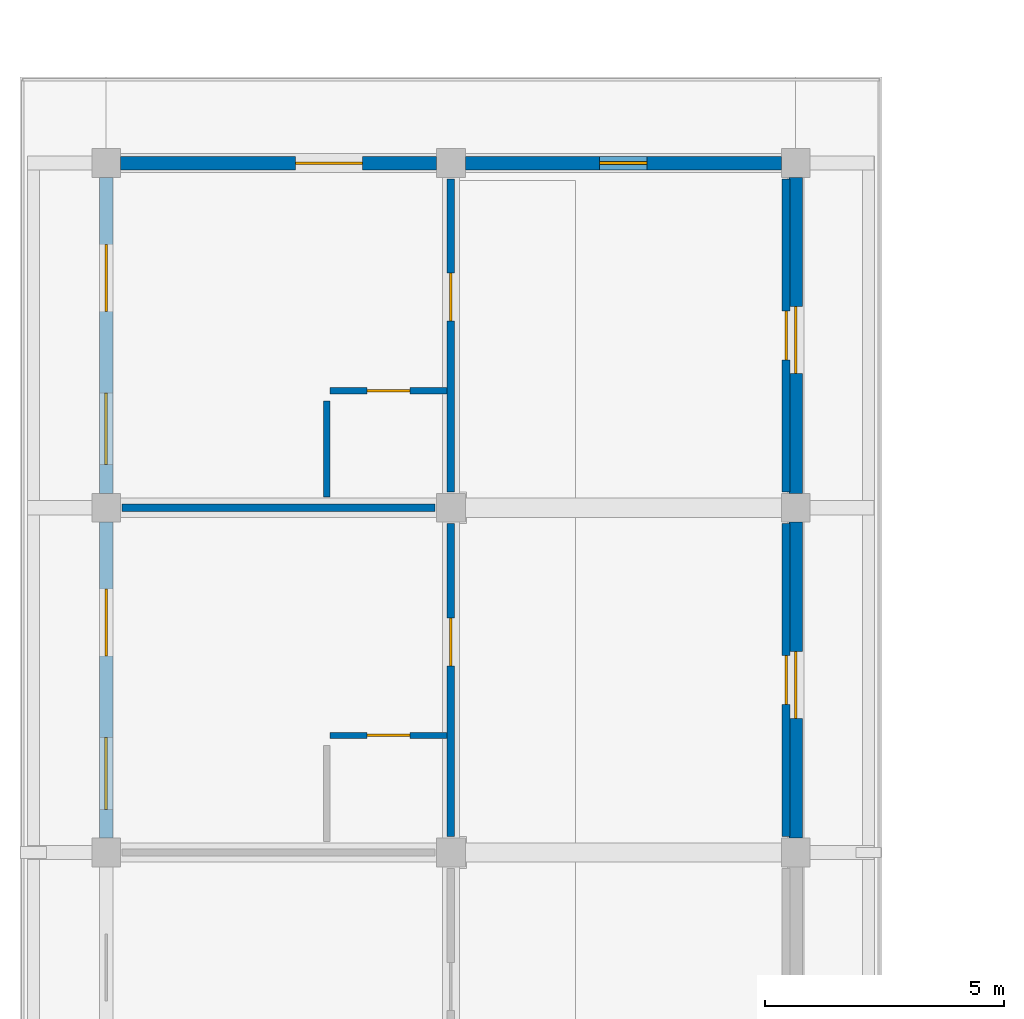
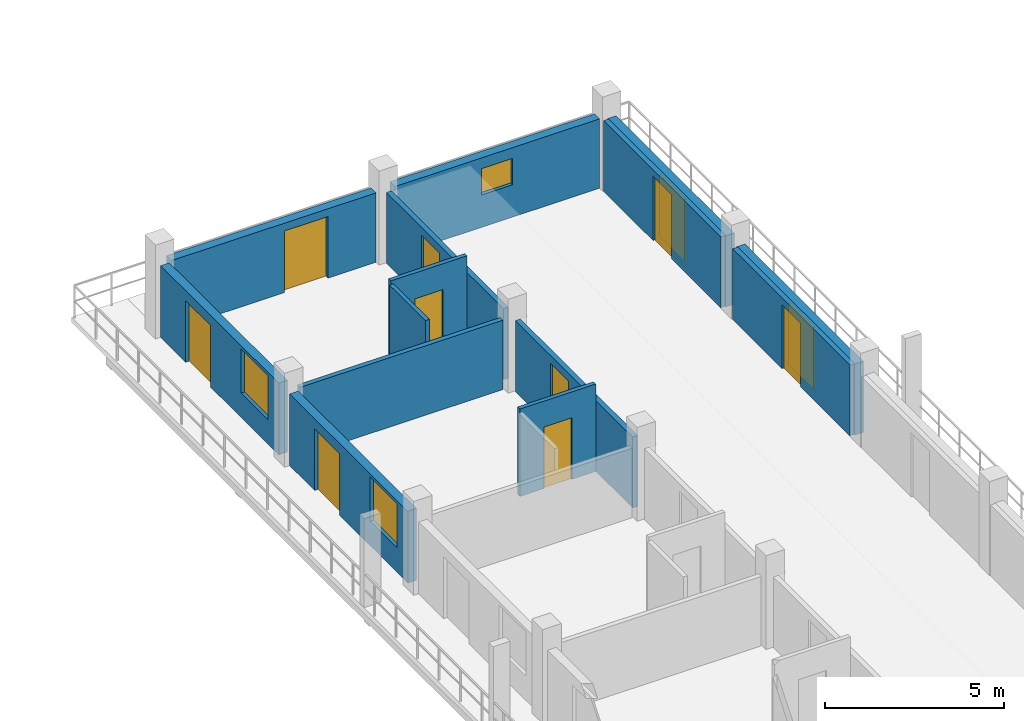
# One storey, part 42 of 76: 14 walls, 11 doors, 3 windows, 14 openings.
"""IFC4 building model written with IfcOpenShell, lengths in metres."""

from ifc_helpers import new_model, si_unit, direction, frame, frame_2d, origin, place, context, subcontext, project, spatial, rectangle, extrude, material, layer, layer_set, type_object, element, fill, save


model = new_model("IFC4")

# Units and contexts
model_context = context("Model", 3, precision=1e-05, world=origin(), true_north=direction((0.0, 1.0)))
body_context = subcontext(model_context, "Body", "Model", "MODEL_VIEW")
ifc_project = project(units=[si_unit("LENGTHUNIT", "METRE"), si_unit("AREAUNIT", "SQUARE_METRE"), si_unit("VOLUMEUNIT", "CUBIC_METRE"), si_unit("PLANEANGLEUNIT", "RADIAN"), si_unit("MASSUNIT", "GRAM", prefix="KILO")], contexts=[model_context])

# Site, building, storey
site_placement = place(None, origin())
site = spatial("IfcSite", under=ifc_project, at=site_placement, CompositionType="ELEMENT")
building_placement = place(site_placement, origin())
building = spatial("IfcBuilding", under=site, at=building_placement, Name="Suanplinth Sawtooth Commons", CompositionType="ELEMENT")
storey_placement = place(building_placement, frame((0.0, 0.0, 12.199951171875)))
storey = spatial("IfcBuildingStorey", under=building, at=storey_placement, Name="L03", CompositionType="ELEMENT", Elevation=12.199951171875)

# Wall, openings, door, window
ifc_material_1 = material(Name="Precast concrete C40/50", Category="concrete")
ifc_layer_1 = layer(ifc_material_1, 0.280029296875, Name="Insulated precast architectural facade wall 280mm")
ifc_layer_set_1 = layer_set([ifc_layer_1], Name="Precast concrete C40/50")
wall_type_1 = type_object("IfcWallType", Name="W-EX01", PredefinedType="ELEMENTEDWALL", material=ifc_layer_set_1)
wall_1_placement = place(storey_placement, frame((0.0, 29.10009765625, 0.0), z_axis=(0.0, 0.0, 1.0), x_axis=(0.0, 1.0, 0.0)))
wall_1 = element("IfcWall", 1, at=wall_1_placement, inside=storey, type_object=wall_type_1, Name="Facade Wall W-L03-D-W-0-4", PredefinedType="ELEMENTEDWALL", context=body_context, shape_type="SweptSolid", body=[
    extrude(rectangle(XDim=6.599853515625, YDim=0.280029296875, at=frame_2d((3.2998046875, 0.0))), origin(), (0.0, 0.0, 1.0), 2.445068359375),
])
opening_1_placement = place(wall_1_placement, frame((3.800048828125, 0.0, 0.0)))
opening_1 = element("IfcOpeningElement", 2, at=opening_1_placement, cuts=wall_1, Name="Opening ED0294", PredefinedType="OPENING", context=body_context, shape_type="SweptSolid", body=[
    extrude(rectangle(XDim=1.39990234375, YDim=2.10009765625, at=frame_2d((0.699951171875, 1.050048828125))), frame((0.0, 0.15478515625, 0.0), z_axis=(0.0, -1.0, 0.0), x_axis=(1.0, 0.0, 0.0)), (0.0, 0.0, 1.0), 0.309814453125),
])
opening_2_placement = place(wall_1_placement, frame((0.60009765625, 0.0, 0.8349609375)))
opening_2 = element("IfcOpeningElement", 3, at=opening_2_placement, cuts=wall_1, Name="Opening W0398", PredefinedType="OPENING", context=body_context, shape_type="SweptSolid", body=[
    extrude(rectangle(XDim=1.5, YDim=1.5, at=frame_2d((0.75, 0.75))), frame((0.0, 0.15478515625, 0.0), z_axis=(0.0, -1.0, 0.0), x_axis=(1.0, 0.0, 0.0)), (0.0, 0.0, 1.0), 0.309814453125),
])
ifc_material_2 = material(Name="Anodized aluminium and low-E glass", Category="aluminium")
door_type_1 = type_object("IfcDoorType", Name="SD-07", OperationType="SLIDING_TO_RIGHT", PredefinedType="DOOR", material=ifc_material_2)
door_1_placement = place(opening_1_placement, frame((1.39990234375, 0.0, 0.0), z_axis=(0.0, 0.0, 1.0), x_axis=(-1.0, 0.0, 0.0)))
door_1 = element("IfcDoor", 4, at=door_1_placement, inside=storey, type_object=door_type_1, Name="Wing Balcony Sliding Door L03-D-4", OperationType="SLIDING_TO_RIGHT", OverallHeight=2.10009765625, OverallWidth=1.39990234375, PredefinedType="DOOR", context=body_context, shape_type="SweptSolid", body=[
    extrude(rectangle(XDim=1.39990234375, YDim=2.10009765625, at=frame_2d((0.699951171875, 1.050048828125))), frame((0.0, 0.02490234375, 0.0), z_axis=(0.0, -1.0, 0.0), x_axis=(1.0, 0.0, 0.0)), (0.0, 0.0, 1.0), 0.050048828125),
])
fill(opening_1, door_1)
ifc_material_3 = material(Name="Thermally broken aluminium and low-E double glazing", Category="aluminium")
window_type_1 = type_object("IfcWindowType", Name="WN-02", PartitioningType="DOUBLE_PANEL_VERTICAL", PredefinedType="WINDOW", material=ifc_material_3)
window_1_placement = place(opening_2_placement, origin())
window_1 = element("IfcWindow", 5, at=window_1_placement, inside=storey, type_object=window_type_1, Name="Wing Window L03-D-4", OverallHeight=1.5, OverallWidth=1.5, PartitioningType="DOUBLE_PANEL_VERTICAL", PredefinedType="WINDOW", context=body_context, shape_type="SweptSolid", body=[
    extrude(rectangle(XDim=1.5, YDim=1.5, at=frame_2d((0.75, 0.75))), frame((0.0, 0.030029296875, 0.0), z_axis=(0.0, -1.0, 0.0), x_axis=(1.0, 0.0, 0.0)), (0.0, 0.0, 1.0), 0.06005859375),
])
fill(opening_2, window_1)

# Wall, opening, door
wall_2_placement = place(storey_placement, frame((0.300048828125, 43.199951171875, 0.0), z_axis=(0.0, 0.0, 1.0), x_axis=(1.0, 0.0, 0.0)))
wall_2 = element("IfcWall", 6, at=wall_2_placement, inside=storey, type_object=wall_type_1, Name="Facade Wall W-L03-D-N-0-5", PredefinedType="ELEMENTEDWALL", context=body_context, shape_type="SweptSolid", body=[
    extrude(rectangle(XDim=6.599853515625, YDim=0.280029296875, at=frame_2d((3.2998046875, 0.0))), origin(), (0.0, 0.0, 1.0), 2.364990234375),
])
opening_3_placement = place(wall_2_placement, frame((3.64990234375, 0.0, 0.0)))
opening_3 = element("IfcOpeningElement", 7, at=opening_3_placement, cuts=wall_2, Name="Opening ED0295", PredefinedType="OPENING", context=body_context, shape_type="SweptSolid", body=[
    extrude(rectangle(XDim=1.39990234375, YDim=2.10009765625, at=frame_2d((0.699951171875, 1.050048828125))), frame((0.0, 0.15478515625, 0.0), z_axis=(0.0, -1.0, 0.0), x_axis=(1.0, 0.0, 0.0)), (0.0, 0.0, 1.0), 0.309814453125),
])
door_2_placement = place(opening_3_placement, frame((1.39990234375, 0.0, 0.0), z_axis=(0.0, 0.0, 1.0), x_axis=(-1.0, 0.0, 0.0)))
door_2 = element("IfcDoor", 8, at=door_2_placement, inside=storey, type_object=door_type_1, Name="End Balcony Sliding Door L03-D-N-0-5", OperationType="SLIDING_TO_RIGHT", OverallHeight=2.10009765625, OverallWidth=1.39990234375, PredefinedType="DOOR", context=body_context, shape_type="SweptSolid", body=[
    extrude(rectangle(XDim=1.39990234375, YDim=2.10009765625, at=frame_2d((0.699951171875, 1.050048828125))), frame((0.0, 0.02490234375, 0.0), z_axis=(0.0, -1.0, 0.0), x_axis=(1.0, 0.0, 0.0)), (0.0, 0.0, 1.0), 0.050048828125),
])
fill(opening_3, door_2)

# Wall, openings, door, window
wall_3_placement = place(storey_placement, frame((0.0, 36.300048828125, 0.0), z_axis=(0.0, 0.0, 1.0), x_axis=(0.0, 1.0, 0.0)))
wall_3 = element("IfcWall", 9, at=wall_3_placement, inside=storey, type_object=wall_type_1, Name="Facade Wall W-L03-D-W-0-5", PredefinedType="ELEMENTEDWALL", context=body_context, shape_type="SweptSolid", body=[
    extrude(rectangle(XDim=6.599853515625, YDim=0.280029296875, at=frame_2d((3.2998046875, 0.0))), origin(), (0.0, 0.0, 1.0), 2.445068359375),
])
opening_4_placement = place(wall_3_placement, frame((3.800048828125, 0.0, 0.0)))
opening_4 = element("IfcOpeningElement", 10, at=opening_4_placement, cuts=wall_3, Name="Opening ED0296", PredefinedType="OPENING", context=body_context, shape_type="SweptSolid", body=[
    extrude(rectangle(XDim=1.39990234375, YDim=2.10009765625, at=frame_2d((0.699951171875, 1.050048828125))), frame((0.0, 0.15478515625, 0.0), z_axis=(0.0, -1.0, 0.0), x_axis=(1.0, 0.0, 0.0)), (0.0, 0.0, 1.0), 0.309814453125),
])
opening_5_placement = place(wall_3_placement, frame((0.60009765625, 0.0, 0.8349609375)))
opening_5 = element("IfcOpeningElement", 11, at=opening_5_placement, cuts=wall_3, Name="Opening W0399", PredefinedType="OPENING", context=body_context, shape_type="SweptSolid", body=[
    extrude(rectangle(XDim=1.5, YDim=1.5, at=frame_2d((0.75, 0.75))), frame((0.0, 0.15478515625, 0.0), z_axis=(0.0, -1.0, 0.0), x_axis=(1.0, 0.0, 0.0)), (0.0, 0.0, 1.0), 0.309814453125),
])
door_3_placement = place(opening_4_placement, frame((1.39990234375, 0.0, 0.0), z_axis=(0.0, 0.0, 1.0), x_axis=(-1.0, 0.0, 0.0)))
door_3 = element("IfcDoor", 12, at=door_3_placement, inside=storey, type_object=door_type_1, Name="Wing Balcony Sliding Door L03-D-5", OperationType="SLIDING_TO_RIGHT", OverallHeight=2.10009765625, OverallWidth=1.39990234375, PredefinedType="DOOR", context=body_context, shape_type="SweptSolid", body=[
    extrude(rectangle(XDim=1.39990234375, YDim=2.10009765625, at=frame_2d((0.699951171875, 1.050048828125))), frame((0.0, 0.02490234375, 0.0), z_axis=(0.0, -1.0, 0.0), x_axis=(1.0, 0.0, 0.0)), (0.0, 0.0, 1.0), 0.050048828125),
])
fill(opening_4, door_3)
window_2_placement = place(opening_5_placement, origin())
window_2 = element("IfcWindow", 13, at=window_2_placement, inside=storey, type_object=window_type_1, Name="Wing Window L03-D-5", OverallHeight=1.5, OverallWidth=1.5, PartitioningType="DOUBLE_PANEL_VERTICAL", PredefinedType="WINDOW", context=body_context, shape_type="SweptSolid", body=[
    extrude(rectangle(XDim=1.5, YDim=1.5, at=frame_2d((0.75, 0.75))), frame((0.0, 0.030029296875, 0.0), z_axis=(0.0, -1.0, 0.0), x_axis=(1.0, 0.0, 0.0)), (0.0, 0.0, 1.0), 0.06005859375),
])
fill(opening_5, window_2)

# Wall, opening, door
wall_4_placement = place(storey_placement, frame((14.39990234375, 29.10009765625, 0.0), z_axis=(0.0, 0.0, 1.0), x_axis=(0.0, 1.0, 0.0)))
wall_4 = element("IfcWall", 14, at=wall_4_placement, inside=storey, type_object=wall_type_1, Name="Facade Wall W-L03-D-E-1-4", PredefinedType="ELEMENTEDWALL", context=body_context, shape_type="SweptSolid", body=[
    extrude(rectangle(XDim=6.599853515625, YDim=0.280029296875, at=frame_2d((3.2998046875, 0.0))), origin(), (0.0, 0.0, 1.0), 2.4150390625),
])
opening_6_placement = place(wall_4_placement, frame((2.5, 0.0, 0.0)))
opening_6 = element("IfcOpeningElement", 15, at=opening_6_placement, cuts=wall_4, Name="Opening ED0300", PredefinedType="OPENING", context=body_context, shape_type="SweptSolid", body=[
    extrude(rectangle(XDim=1.39990234375, YDim=2.10009765625, at=frame_2d((0.699951171875, 1.050048828125))), frame((0.0, 0.15478515625, 0.0), z_axis=(0.0, -1.0, 0.0), x_axis=(1.0, 0.0, 0.0)), (0.0, 0.0, 1.0), 0.309814453125),
])
door_4_placement = place(opening_6_placement, frame((1.39990234375, 0.0, 0.0), z_axis=(0.0, 0.0, 1.0), x_axis=(-1.0, 0.0, 0.0)))
door_4 = element("IfcDoor", 16, at=door_4_placement, inside=storey, type_object=door_type_1, Name="Courtyard Veranda Studio Balcony Door L03-D-4", OperationType="SLIDING_TO_RIGHT", OverallHeight=2.10009765625, OverallWidth=1.39990234375, PredefinedType="DOOR", context=body_context, shape_type="SweptSolid", body=[
    extrude(rectangle(XDim=1.39990234375, YDim=2.10009765625, at=frame_2d((0.699951171875, 1.050048828125))), frame((0.0, 0.02490234375, 0.0), z_axis=(0.0, -1.0, 0.0), x_axis=(1.0, 0.0, 0.0)), (0.0, 0.0, 1.0), 0.050048828125),
])
fill(opening_6, door_4)

# Wall, opening, window
wall_5_placement = place(storey_placement, frame((7.5, 43.199951171875, 0.0), z_axis=(0.0, 0.0, 1.0), x_axis=(1.0, 0.0, 0.0)))
wall_5 = element("IfcWall", 17, at=wall_5_placement, inside=storey, type_object=wall_type_1, Name="Facade Wall W-L03-D-N-1-5", PredefinedType="ELEMENTEDWALL", context=body_context, shape_type="SweptSolid", body=[
    extrude(rectangle(XDim=6.60009765625, YDim=0.280029296875, at=frame_2d((3.300048828125, 0.0))), origin(), (0.0, 0.0, 1.0), 2.364990234375),
])
opening_7_placement = place(wall_5_placement, frame((2.800048828125, 0.0, 1.10009765625)))
opening_7 = element("IfcOpeningElement", 18, at=opening_7_placement, cuts=wall_5, Name="Opening W0401", PredefinedType="OPENING", context=body_context, shape_type="SweptSolid", body=[
    extrude(rectangle(XDim=1.0, YDim=0.89990234375, at=frame_2d((0.5, 0.449951171875))), frame((0.0, 0.15478515625, 0.0), z_axis=(0.0, -1.0, 0.0), x_axis=(1.0, 0.0, 0.0)), (0.0, 0.0, 1.0), 0.309814453125),
])
window_type_2 = type_object("IfcWindowType", Name="WN-12", PartitioningType="SINGLE_PANEL", PredefinedType="WINDOW", material=ifc_material_3)
window_3_placement = place(opening_7_placement, origin())
window_3 = element("IfcWindow", 19, at=window_3_placement, inside=storey, type_object=window_type_2, Name="End Window L03-D-N-1-5", OverallHeight=0.89990234375, OverallWidth=1.0, PartitioningType="SINGLE_PANEL", PredefinedType="WINDOW", context=body_context, shape_type="SweptSolid", body=[
    extrude(rectangle(XDim=1.0, YDim=0.89990234375, at=frame_2d((0.5, 0.449951171875))), frame((0.0, 0.030029296875, 0.0), z_axis=(0.0, -1.0, 0.0), x_axis=(1.0, 0.0, 0.0)), (0.0, 0.0, 1.0), 0.06005859375),
])
fill(opening_7, window_3)

# Wall, opening, door
wall_6_placement = place(storey_placement, frame((14.39990234375, 36.300048828125, 0.0), z_axis=(0.0, 0.0, 1.0), x_axis=(0.0, 1.0, 0.0)))
wall_6 = element("IfcWall", 20, at=wall_6_placement, inside=storey, type_object=wall_type_1, Name="Facade Wall W-L03-D-E-1-5", PredefinedType="ELEMENTEDWALL", context=body_context, shape_type="SweptSolid", body=[
    extrude(rectangle(XDim=6.599853515625, YDim=0.280029296875, at=frame_2d((3.2998046875, 0.0))), origin(), (0.0, 0.0, 1.0), 2.4150390625),
])
opening_8_placement = place(wall_6_placement, frame((2.5, 0.0, 0.0)))
opening_8 = element("IfcOpeningElement", 21, at=opening_8_placement, cuts=wall_6, Name="Opening ED0301", PredefinedType="OPENING", context=body_context, shape_type="SweptSolid", body=[
    extrude(rectangle(XDim=1.39990234375, YDim=2.10009765625, at=frame_2d((0.699951171875, 1.050048828125))), frame((0.0, 0.15478515625, 0.0), z_axis=(0.0, -1.0, 0.0), x_axis=(1.0, 0.0, 0.0)), (0.0, 0.0, 1.0), 0.309814453125),
])
door_5_placement = place(opening_8_placement, frame((1.39990234375, 0.0, 0.0), z_axis=(0.0, 0.0, 1.0), x_axis=(-1.0, 0.0, 0.0)))
door_5 = element("IfcDoor", 22, at=door_5_placement, inside=storey, type_object=door_type_1, Name="Courtyard Veranda Studio Balcony Door L03-D-5", OperationType="SLIDING_TO_RIGHT", OverallHeight=2.10009765625, OverallWidth=1.39990234375, PredefinedType="DOOR", context=body_context, shape_type="SweptSolid", body=[
    extrude(rectangle(XDim=1.39990234375, YDim=2.10009765625, at=frame_2d((0.699951171875, 1.050048828125))), frame((0.0, 0.02490234375, 0.0), z_axis=(0.0, -1.0, 0.0), x_axis=(1.0, 0.0, 0.0)), (0.0, 0.0, 1.0), 0.050048828125),
])
fill(opening_8, door_5)

ifc_layer_2 = layer(ifc_material_1, 0.159912109375, Name="Fire-rated corridor and lobby wall 160mm")
ifc_layer_set_2 = layer_set([ifc_layer_2], Name="Precast concrete C40/50")
wall_type_2 = type_object("IfcWallType", Name="W-FW01", PredefinedType="PARTITIONING", material=ifc_layer_set_2)
wall_7_placement = place(storey_placement, frame((7.199951171875, 29.1298828125, 0.0), z_axis=(0.0, 0.0, 1.0), x_axis=(0.0, 1.0, 0.0)))
wall_7 = element("IfcWall", 23, at=wall_7_placement, inside=storey, type_object=wall_type_2, Name="W-D-L03-L03-COR", PredefinedType="PARTITIONING", context=body_context, shape_type="SweptSolid", body=[
    extrude(rectangle(XDim=6.5400390625, YDim=0.159912109375, at=frame_2d((3.27001953125, 0.0))), origin(), (0.0, 0.0, 1.0), 2.4150390625),
])
opening_9_placement = place(wall_7_placement, frame((3.570068359375, 0.0, 0.0)))
opening_9 = element("IfcOpeningElement", 24, at=opening_9_placement, cuts=wall_7, Name="Opening FD1035", PredefinedType="OPENING", context=body_context, shape_type="SweptSolid", body=[
    extrude(rectangle(XDim=1.0, YDim=2.14990234375, at=frame_2d((0.5, 1.074951171875))), frame((0.0, 0.0947265625, 0.0), z_axis=(0.0, -1.0, 0.0), x_axis=(1.0, 0.0, 0.0)), (0.0, 0.0, 1.0), 0.189697265625),
])
ifc_material_4 = material(Name="Teak hardwood fire-rated door assembly", Category="wood")
door_type_2 = type_object("IfcDoorType", Name="FD-03", OperationType="NOTDEFINED", PredefinedType="DOOR", material=ifc_material_4)
door_6_placement = place(opening_9_placement, origin())
door_6 = element("IfcDoor", 25, at=door_6_placement, inside=storey, type_object=door_type_2, Name="Wing Unit Entrance Door FD1035", OperationType="SINGLE_SWING_LEFT", OverallHeight=2.14990234375, OverallWidth=1.0, PredefinedType="DOOR", context=body_context, shape_type="SweptSolid", body=[
    extrude(rectangle(XDim=1.0, YDim=2.14990234375, at=frame_2d((0.5, 1.074951171875))), frame((0.0, 0.02490234375, 0.0), z_axis=(0.0, -1.0, 0.0), x_axis=(1.0, 0.0, 0.0)), (0.0, 0.0, 1.0), 0.050048828125),
])
fill(opening_9, door_6)

wall_8_placement = place(storey_placement, frame((14.199951171875, 29.1298828125, 0.0), z_axis=(0.0, 0.0, 1.0), x_axis=(0.0, 1.0, 0.0)))
wall_8 = element("IfcWall", 26, at=wall_8_placement, inside=storey, type_object=wall_type_2, Name="W-D-L03-LEGCOURTROOM-71-COR", PredefinedType="PARTITIONING", context=body_context, shape_type="SweptSolid", body=[
    extrude(rectangle(XDim=6.5400390625, YDim=0.159912109375, at=frame_2d((3.27001953125, 0.0))), origin(), (0.0, 0.0, 1.0), 2.4150390625),
])
opening_10_placement = place(wall_8_placement, frame((2.760009765625, 0.0, 0.0)))
opening_10 = element("IfcOpeningElement", 27, at=opening_10_placement, cuts=wall_8, Name="Opening D1037", PredefinedType="OPENING", context=body_context, shape_type="SweptSolid", body=[
    extrude(rectangle(XDim=1.02001953125, YDim=2.179931640625, at=frame_2d((0.510009765625, 1.08984375))), frame((0.0, 0.0947265625, 0.0), z_axis=(0.0, -1.0, 0.0), x_axis=(1.0, 0.0, 0.0)), (0.0, 0.0, 1.0), 0.189697265625),
])
ifc_material_5 = material(Name="Teak hardwood", Category="wood")
door_type_3 = type_object("IfcDoorType", Name="D-16", OperationType="NOTDEFINED", PredefinedType="DOOR", material=ifc_material_5)
door_7_placement = place(opening_10_placement, frame((1.02001953125, 0.0, 0.0), z_axis=(0.0, 0.0, 1.0), x_axis=(-1.0, 0.0, 0.0)))
door_7 = element("IfcDoor", 28, at=door_7_placement, inside=storey, type_object=door_type_3, Name="Veranda Studio Door D1037", OperationType="SINGLE_SWING_LEFT", OverallHeight=2.179931640625, OverallWidth=1.02001953125, PredefinedType="DOOR", context=body_context, shape_type="SweptSolid", body=[
    extrude(rectangle(XDim=1.02001953125, YDim=2.179931640625, at=frame_2d((0.510009765625, 1.08984375))), frame((0.0, 0.02490234375, 0.0), z_axis=(0.0, -1.0, 0.0), x_axis=(1.0, 0.0, 0.0)), (0.0, 0.0, 1.0), 0.050048828125),
])
fill(opening_10, door_7)

wall_9_placement = place(storey_placement, frame((7.199951171875, 36.330078125, 0.0), z_axis=(0.0, 0.0, 1.0), x_axis=(0.0, 1.0, 0.0)))
wall_9 = element("IfcWall", 29, at=wall_9_placement, inside=storey, type_object=wall_type_2, Name="W-D-L03-L04-COR", PredefinedType="PARTITIONING", context=body_context, shape_type="SweptSolid", body=[
    extrude(rectangle(XDim=6.5400390625, YDim=0.159912109375, at=frame_2d((3.27001953125, 0.0))), origin(), (0.0, 0.0, 1.0), 2.4150390625),
])
opening_11_placement = place(wall_9_placement, frame((3.570068359375, 0.0, 0.0)))
opening_11 = element("IfcOpeningElement", 30, at=opening_11_placement, cuts=wall_9, Name="Opening FD1038", PredefinedType="OPENING", context=body_context, shape_type="SweptSolid", body=[
    extrude(rectangle(XDim=1.0, YDim=2.14990234375, at=frame_2d((0.5, 1.074951171875))), frame((0.0, 0.0947265625, 0.0), z_axis=(0.0, -1.0, 0.0), x_axis=(1.0, 0.0, 0.0)), (0.0, 0.0, 1.0), 0.189697265625),
])
door_8_placement = place(opening_11_placement, origin())
door_8 = element("IfcDoor", 31, at=door_8_placement, inside=storey, type_object=door_type_2, Name="Wing Unit Entrance Door FD1038", OperationType="SINGLE_SWING_RIGHT", OverallHeight=2.14990234375, OverallWidth=1.0, PredefinedType="DOOR", context=body_context, shape_type="SweptSolid", body=[
    extrude(rectangle(XDim=1.0, YDim=2.14990234375, at=frame_2d((0.5, 1.074951171875))), frame((0.0, 0.02490234375, 0.0), z_axis=(0.0, -1.0, 0.0), x_axis=(1.0, 0.0, 0.0)), (0.0, 0.0, 1.0), 0.050048828125),
])
fill(opening_11, door_8)

wall_10_placement = place(storey_placement, frame((14.199951171875, 36.330078125, 0.0), z_axis=(0.0, 0.0, 1.0), x_axis=(0.0, 1.0, 0.0)))
wall_10 = element("IfcWall", 32, at=wall_10_placement, inside=storey, type_object=wall_type_2, Name="W-D-L03-LEGCOURTROOM-73-COR", PredefinedType="PARTITIONING", context=body_context, shape_type="SweptSolid", body=[
    extrude(rectangle(XDim=6.5400390625, YDim=0.159912109375, at=frame_2d((3.27001953125, 0.0))), origin(), (0.0, 0.0, 1.0), 2.4150390625),
])
opening_12_placement = place(wall_10_placement, frame((2.760009765625, 0.0, 0.0)))
opening_12 = element("IfcOpeningElement", 33, at=opening_12_placement, cuts=wall_10, Name="Opening D1040", PredefinedType="OPENING", context=body_context, shape_type="SweptSolid", body=[
    extrude(rectangle(XDim=1.02001953125, YDim=2.179931640625, at=frame_2d((0.510009765625, 1.08984375))), frame((0.0, 0.0947265625, 0.0), z_axis=(0.0, -1.0, 0.0), x_axis=(1.0, 0.0, 0.0)), (0.0, 0.0, 1.0), 0.189697265625),
])
door_9_placement = place(opening_12_placement, frame((1.02001953125, 0.0, 0.0), z_axis=(0.0, 0.0, 1.0), x_axis=(-1.0, 0.0, 0.0)))
door_9 = element("IfcDoor", 34, at=door_9_placement, inside=storey, type_object=door_type_3, Name="Veranda Studio Door D1040", OperationType="SINGLE_SWING_RIGHT", OverallHeight=2.179931640625, OverallWidth=1.02001953125, PredefinedType="DOOR", context=body_context, shape_type="SweptSolid", body=[
    extrude(rectangle(XDim=1.02001953125, YDim=2.179931640625, at=frame_2d((0.510009765625, 1.08984375))), frame((0.0, 0.02490234375, 0.0), z_axis=(0.0, -1.0, 0.0), x_axis=(1.0, 0.0, 0.0)), (0.0, 0.0, 1.0), 0.050048828125),
])
fill(opening_12, door_9)

# Wall
ifc_layer_3 = layer(ifc_material_1, 0.14990234375, Name="Acoustic precast party demising wall 150mm")
ifc_layer_set_3 = layer_set([ifc_layer_3], Name="Precast concrete C40/50")
wall_type_3 = type_object("IfcWallType", Name="W-FW02", PredefinedType="PARTITIONING", material=ifc_layer_set_3)
wall_11_placement = place(storey_placement, frame((0.330078125, 36.0, 0.0), z_axis=(0.0, 0.0, 1.0), x_axis=(1.0, 0.0, 0.0)))
element("IfcWall", 35, at=wall_11_placement, inside=storey, type_object=wall_type_3, Name="W-D-L03-L03-PTY", PredefinedType="PARTITIONING", context=body_context, shape_type="SweptSolid", body=[
    extrude(rectangle(XDim=6.5400390625, YDim=0.14990234375, at=frame_2d((3.27001953125, 0.0))), origin(), (0.0, 0.0, 1.0), 2.364990234375),
])

# Wall, opening, door
ifc_material_6 = material(Name="Gypsum plasterboard on steel stud", Category="steel")
ifc_layer_4 = layer(ifc_material_6, 0.1298828125, Name="Moisture-resistant bathroom partition 130mm")
ifc_layer_set_4 = layer_set([ifc_layer_4], Name="Gypsum plasterboard on steel stud")
wall_type_4 = type_object("IfcWallType", Name="W-PT02", PredefinedType="PARTITIONING", material=ifc_layer_set_4)
wall_12_placement = place(storey_placement, frame((4.669921875, 31.2451171875, 0.0), z_axis=(0.0, 0.0, 1.0), x_axis=(1.0, 0.0, 0.0)))
wall_12 = element("IfcWall", 36, at=wall_12_placement, inside=storey, type_object=wall_type_4, Name="W-D-L03-L03-BTH1", PredefinedType="PARTITIONING", context=body_context, shape_type="SweptSolid", body=[
    extrude(rectangle(XDim=2.4501953125, YDim=0.1298828125, at=frame_2d((1.22509765625, 0.0))), origin(), (0.0, 0.0, 1.0), 2.97998046875),
])
opening_13_placement = place(wall_12_placement, frame((0.77490234375, 0.0, 0.0)))
opening_13 = element("IfcOpeningElement", 37, at=opening_13_placement, cuts=wall_12, Name="Opening D1036", PredefinedType="OPENING", context=body_context, shape_type="SweptSolid", body=[
    extrude(rectangle(XDim=0.89990234375, YDim=2.10009765625, at=frame_2d((0.449951171875, 1.050048828125))), frame((0.0, 0.079833984375, 0.0), z_axis=(0.0, -1.0, 0.0), x_axis=(1.0, 0.0, 0.0)), (0.0, 0.0, 1.0), 0.15966796875),
])
door_type_4 = type_object("IfcDoorType", Name="D-01", OperationType="NOTDEFINED", PredefinedType="DOOR", material=ifc_material_5)
door_10_placement = place(opening_13_placement, frame((0.89990234375, 0.0, 0.0), z_axis=(0.0, 0.0, 1.0), x_axis=(-1.0, 0.0, 0.0)))
door_10 = element("IfcDoor", 38, at=door_10_placement, inside=storey, type_object=door_type_4, Name="Bathroom Door D1036", OperationType="SINGLE_SWING_RIGHT", OverallHeight=2.10009765625, OverallWidth=0.89990234375, PredefinedType="DOOR", context=body_context, shape_type="SweptSolid", body=[
    extrude(rectangle(XDim=0.89990234375, YDim=2.10009765625, at=frame_2d((0.449951171875, 1.050048828125))), frame((0.0, 0.02490234375, 0.0), z_axis=(0.0, -1.0, 0.0), x_axis=(1.0, 0.0, 0.0)), (0.0, 0.0, 1.0), 0.050048828125),
])
fill(opening_13, door_10)

wall_13_placement = place(storey_placement, frame((4.669921875, 38.445068359375, 0.0), z_axis=(0.0, 0.0, 1.0), x_axis=(1.0, 0.0, 0.0)))
wall_13 = element("IfcWall", 39, at=wall_13_placement, inside=storey, type_object=wall_type_4, Name="W-D-L03-L04-BTH1", PredefinedType="PARTITIONING", context=body_context, shape_type="SweptSolid", body=[
    extrude(rectangle(XDim=2.4501953125, YDim=0.1298828125, at=frame_2d((1.22509765625, 0.0))), origin(), (0.0, 0.0, 1.0), 2.97998046875),
])
opening_14_placement = place(wall_13_placement, frame((0.77490234375, 0.0, 0.0)))
opening_14 = element("IfcOpeningElement", 40, at=opening_14_placement, cuts=wall_13, Name="Opening D1039", PredefinedType="OPENING", context=body_context, shape_type="SweptSolid", body=[
    extrude(rectangle(XDim=0.89990234375, YDim=2.10009765625, at=frame_2d((0.449951171875, 1.050048828125))), frame((0.0, 0.079833984375, 0.0), z_axis=(0.0, -1.0, 0.0), x_axis=(1.0, 0.0, 0.0)), (0.0, 0.0, 1.0), 0.15966796875),
])
door_11_placement = place(opening_14_placement, frame((0.89990234375, 0.0, 0.0), z_axis=(0.0, 0.0, 1.0), x_axis=(-1.0, 0.0, 0.0)))
door_11 = element("IfcDoor", 41, at=door_11_placement, inside=storey, type_object=door_type_4, Name="Bathroom Door D1039", OperationType="SINGLE_SWING_LEFT", OverallHeight=2.10009765625, OverallWidth=0.89990234375, PredefinedType="DOOR", context=body_context, shape_type="SweptSolid", body=[
    extrude(rectangle(XDim=0.89990234375, YDim=2.10009765625, at=frame_2d((0.449951171875, 1.050048828125))), frame((0.0, 0.02490234375, 0.0), z_axis=(0.0, -1.0, 0.0), x_axis=(1.0, 0.0, 0.0)), (0.0, 0.0, 1.0), 0.050048828125),
])
fill(opening_14, door_11)

# Wall
wall_14_placement = place(storey_placement, frame((4.60498046875, 36.22998046875, 0.0), z_axis=(0.0, 0.0, 1.0), x_axis=(0.0, 1.0, 0.0)))
element("IfcWall", 42, at=wall_14_placement, inside=storey, type_object=wall_type_4, Name="W-D-L03-L04-BTH2", PredefinedType="PARTITIONING", context=body_context, shape_type="SweptSolid", body=[
    extrude(rectangle(XDim=2.0, YDim=0.1298828125, at=frame_2d((1.0, 0.0))), origin(), (0.0, 0.0, 1.0), 2.97998046875),
])

save(model, "model.ifc")
